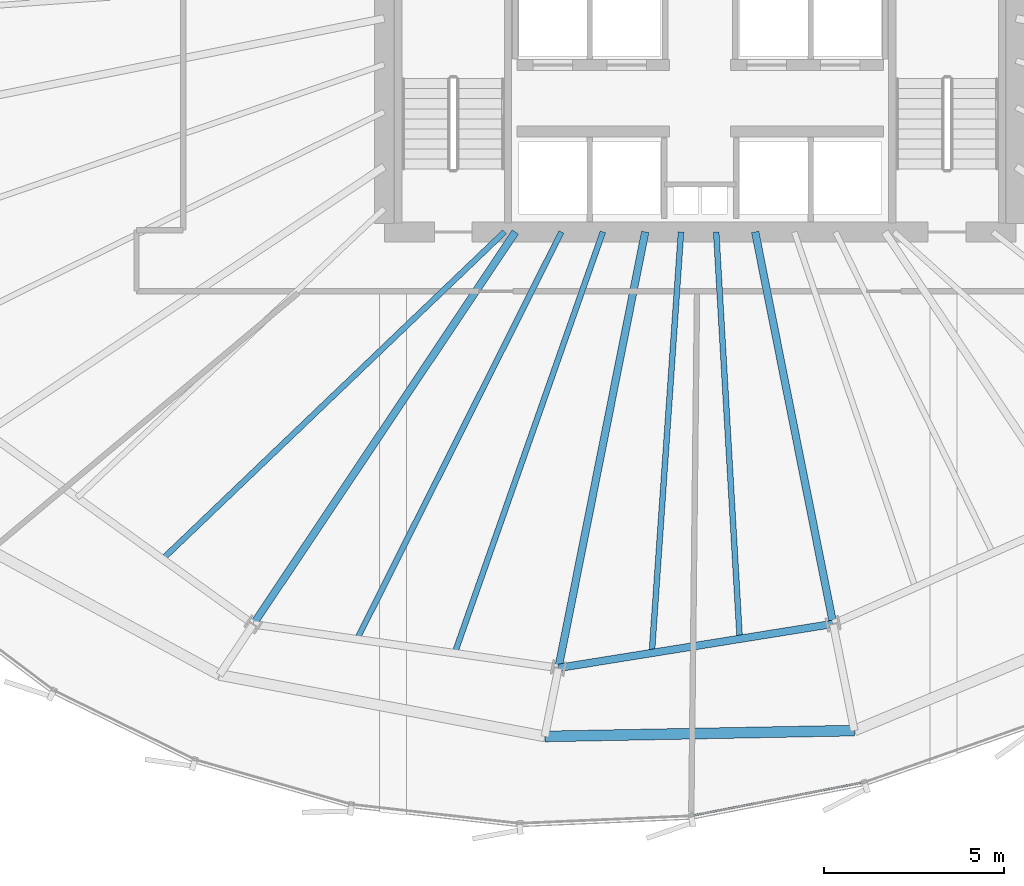
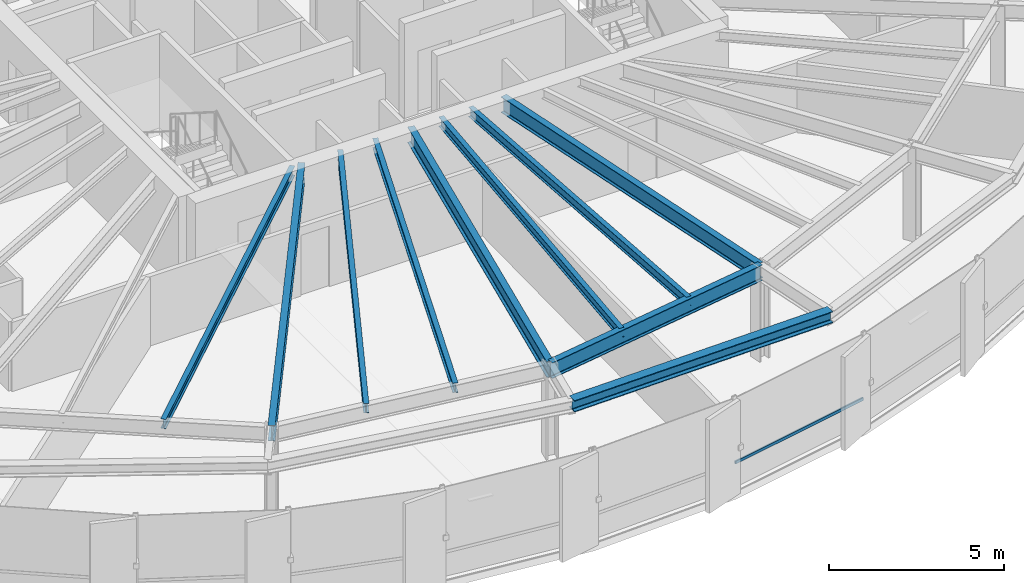
# One storey, part 6 of 34: 10 beams, 1 member, 1 element without a shape of its own.
"""IFC4 building model written with IfcOpenShell, lengths in metres."""

from ifc_helpers import new_model, si_unit, direction, frame, origin, origin_2d, place, context, subcontext, project, spatial, hollow_rectangle, i_section, extrude, source, transform, mapped, material, layer, layer_set, material_profile, profile_set, type_object, element, aggregate, save


model = new_model("IFC4")

# Units and contexts
model_context = context("Model", 3, precision=1e-05, world=origin(), true_north=direction((0.0, 1.0)))
body_context = subcontext(model_context, "Body", "Model", "MODEL_VIEW")
ifc_project = project(units=[si_unit("LENGTHUNIT", "METRE"), si_unit("AREAUNIT", "SQUARE_METRE"), si_unit("VOLUMEUNIT", "CUBIC_METRE"), si_unit("PLANEANGLEUNIT", "RADIAN"), si_unit("MASSUNIT", "GRAM", prefix="KILO"), si_unit("THERMODYNAMICTEMPERATUREUNIT", "KELVIN")], contexts=[model_context])

# Site, building, storey
site_placement = place(None, origin())
site = spatial("IfcSite", under=ifc_project, at=site_placement, CompositionType="ELEMENT")
building_placement = place(site_placement, origin())
building = spatial("IfcBuilding", under=site, at=building_placement, Name="Kethvar Cultural Tower", CompositionType="ELEMENT")
storey_placement = place(building_placement, frame((0.0, 0.0, 128.800048828125)))
storey = spatial("IfcBuildingStorey", under=building, at=storey_placement, Name="L32", CompositionType="ELEMENT", Elevation=128.800048828125)

# Beams
ifc_material_1 = material(Name="Steel S355J2", Category="steel")
ifc_material_profile_1 = material_profile(ifc_material_1, i_section(OverallWidth=0.2099609375, OverallDepth=0.550048828125, WebThickness=0.010986328125, FlangeThickness=0.01708984375, FilletRadius=0.02392578125, at=origin_2d()), Name="Steel S355J2 — IPE550")
ifc_profile_set_1 = profile_set([ifc_material_profile_1], Name="Steel S355J2 — IPE550")
beam_type_1 = type_object("IfcBeamType", Name="BM-IPE550", PredefinedType="BEAM", material=ifc_profile_set_1)
shared_shape_1 = source(origin(), body_context, "Body", "SweptSolid", [
    extrude(i_section(OverallWidth=0.2099609375, OverallDepth=0.550048828125, WebThickness=0.010986328125, FlangeThickness=0.01708984375, FilletRadius=0.02392578125, at=origin_2d()), origin(), (0.0, 0.0, 1.0), 13.147216796875),
])
beam_1_placement = place(storey_placement, frame((41.655029296875, 20.10009765625, 3.02294921875), z_axis=(-0.555565525446, -0.831472757783, 0.0), x_axis=(0.831472757783, -0.555565525446, 0.0)))
element("IfcBeam", 1, at=beam_1_placement, inside=storey, type_object=beam_type_1, Name="L32 Primary Radial Beam RB-11", PredefinedType="BEAM", context=body_context, shape_type="MappedRepresentation", body=[
    mapped(shared_shape_1, transform((0.0, 0.0, 0.0), scale=1.0)),
])
shared_shape_2 = source(origin(), body_context, "Body", "SweptSolid", [
    extrude(i_section(OverallWidth=0.2099609375, OverallDepth=0.550048828125, WebThickness=0.010986328125, FlangeThickness=0.01708984375, FilletRadius=0.02392578125, at=origin_2d()), origin(), (0.0, 0.0, 1.0), 12.384521484375),
])
beam_2_placement = place(storey_placement, frame((45.268310546875, 20.10009765625, 3.02294921875), z_axis=(-0.195084858678, -0.980786367113, 0.0), x_axis=(0.980786367113, -0.195084858678, 0.0)))
element("IfcBeam", 2, at=beam_2_placement, inside=storey, type_object=beam_type_1, Name="L32 Primary Radial Beam RB-12", PredefinedType="BEAM", context=body_context, shape_type="MappedRepresentation", body=[
    mapped(shared_shape_2, transform((0.0, 0.0, 0.0), scale=1.0)),
])
shared_shape_3 = source(origin(), body_context, "Body", "SweptSolid", [
    extrude(i_section(OverallWidth=0.2099609375, OverallDepth=0.550048828125, WebThickness=0.010986328125, FlangeThickness=0.01708984375, FilletRadius=0.02392578125, at=origin_2d()), origin(), (0.0, 0.0, 1.0), 11.131591796875),
])
beam_3_placement = place(storey_placement, frame((48.33154296875, 20.10009765625, 3.02294921875), z_axis=(0.195107998266, -0.980781764213, 0.0), x_axis=(0.980781764213, 0.195107998266, 0.0)))
element("IfcBeam", 3, at=beam_3_placement, inside=storey, type_object=beam_type_1, Name="L32 Primary Radial Beam RB-13", PredefinedType="BEAM", context=body_context, shape_type="MappedRepresentation", body=[
    mapped(shared_shape_3, transform((0.0, 0.0, 0.0), scale=1.0)),
])
ifc_material_profile_2 = material_profile(ifc_material_1, i_section(OverallWidth=0.159912109375, OverallDepth=0.330078125, WebThickness=0.007568359375, FlangeThickness=0.011474609375, FilletRadius=0.01806640625, at=origin_2d()), Name="Steel S355J2 — IPE330")
ifc_profile_set_2 = profile_set([ifc_material_profile_2], Name="Steel S355J2 — IPE330")
beam_type_2 = type_object("IfcBeamType", Name="BM-J330", PredefinedType="JOIST", material=ifc_profile_set_2)
shared_shape_4 = source(origin(), body_context, "Body", "SweptSolid", [
    extrude(i_section(OverallWidth=0.159912109375, OverallDepth=0.330078125, WebThickness=0.007568359375, FlangeThickness=0.011474609375, FilletRadius=0.01806640625, at=origin_2d()), origin(), (0.0, 0.0, 1.0), 13.1826171875),
])
beam_4_placement = place(storey_placement, frame((41.35009765625, 20.10009765625, 3.133056640625), z_axis=(-0.722573880181, -0.691293705801, 0.0), x_axis=(0.691293705801, -0.722573880181, 0.0)))
element("IfcBeam", 4, at=beam_4_placement, inside=storey, type_object=beam_type_2, Name="L32 Composite Floor Joist J-10B", PredefinedType="JOIST", context=body_context, shape_type="MappedRepresentation", body=[
    mapped(shared_shape_4, transform((0.0, 0.0, 0.0), scale=1.0)),
])
shared_shape_5 = source(origin(), body_context, "Body", "SweptSolid", [
    extrude(i_section(OverallWidth=0.159912109375, OverallDepth=0.330078125, WebThickness=0.007568359375, FlangeThickness=0.011474609375, FilletRadius=0.01806640625, at=origin_2d()), origin(), (0.0, 0.0, 1.0), 12.693603515625),
])
beam_5_placement = place(storey_placement, frame((42.935302734375, 20.10009765625, 3.133056640625), z_axis=(-0.448582495233, -0.893741430712, 0.0), x_axis=(0.893741430712, -0.448582495233, 0.0)))
element("IfcBeam", 5, at=beam_5_placement, inside=storey, type_object=beam_type_2, Name="L32 Composite Floor Joist J-11A", PredefinedType="JOIST", context=body_context, shape_type="MappedRepresentation", body=[
    mapped(shared_shape_5, transform((0.0, 0.0, 0.0), scale=1.0)),
])
shared_shape_6 = source(origin(), body_context, "Body", "SweptSolid", [
    extrude(i_section(OverallWidth=0.159912109375, OverallDepth=0.330078125, WebThickness=0.007568359375, FlangeThickness=0.011474609375, FilletRadius=0.01806640625, at=origin_2d()), origin(), (0.0, 0.0, 1.0), 12.4384765625),
])
beam_6_placement = place(storey_placement, frame((44.090576171875, 20.10009765625, 3.133056640625), z_axis=(-0.331923676994, -0.943306245421, 0.0), x_axis=(0.943306245421, -0.331923676994, 0.0)))
element("IfcBeam", 6, at=beam_6_placement, inside=storey, type_object=beam_type_2, Name="L32 Composite Floor Joist J-11B", PredefinedType="JOIST", context=body_context, shape_type="MappedRepresentation", body=[
    mapped(shared_shape_6, transform((0.0, 0.0, 0.0), scale=1.0)),
])
shared_shape_7 = source(origin(), body_context, "Body", "SweptSolid", [
    extrude(i_section(OverallWidth=0.2099609375, OverallDepth=0.550048828125, WebThickness=0.010986328125, FlangeThickness=0.01708984375, FilletRadius=0.02392578125, at=origin_2d()), origin(), (0.0, 0.0, 1.0), 7.749267578125),
])
beam_7_placement = place(storey_placement, frame((42.852294921875, 7.95361328125, 3.02294921875), z_axis=(0.987348257569, 0.158566762831, 0.0), x_axis=(-0.158566762831, 0.987348257569, 0.0)))
element("IfcBeam", 7, at=beam_7_placement, inside=storey, type_object=beam_type_1, Name="L32 Column Ring Tie Beam CR-12", PredefinedType="BEAM", context=body_context, shape_type="MappedRepresentation", body=[
    mapped(shared_shape_7, transform((0.0, 0.0, 0.0), scale=1.0)),
])
shared_shape_8 = source(origin(), body_context, "Body", "SweptSolid", [
    extrude(i_section(OverallWidth=0.159912109375, OverallDepth=0.330078125, WebThickness=0.007568359375, FlangeThickness=0.011474609375, FilletRadius=0.01806640625, at=origin_2d()), origin(), (0.0, 0.0, 1.0), 11.7568359375),
])
beam_8_placement = place(storey_placement, frame((46.266357421875, 20.10009765625, 3.133056640625), z_axis=(-0.069129203877, -0.997607715072, 0.0), x_axis=(0.997607715072, -0.069129203877, 0.0)))
element("IfcBeam", 8, at=beam_8_placement, inside=storey, type_object=beam_type_2, Name="L32 Composite Floor Joist J-12A", PredefinedType="JOIST", context=body_context, shape_type="MappedRepresentation", body=[
    mapped(shared_shape_8, transform((0.0, 0.0, 0.0), scale=1.0)),
])
shared_shape_9 = source(origin(), body_context, "Body", "SweptSolid", [
    extrude(i_section(OverallWidth=0.159912109375, OverallDepth=0.330078125, WebThickness=0.007568359375, FlangeThickness=0.011474609375, FilletRadius=0.01806640625, at=origin_2d()), origin(), (0.0, 0.0, 1.0), 11.354736328125),
])
beam_9_placement = place(storey_placement, frame((47.245849609375, 20.10009765625, 3.133056640625), z_axis=(0.057795585741, -0.998328438075, 0.0), x_axis=(0.998328438075, 0.057795585741, 0.0)))
element("IfcBeam", 9, at=beam_9_placement, inside=storey, type_object=beam_type_2, Name="L32 Composite Floor Joist J-12B", PredefinedType="JOIST", context=body_context, shape_type="MappedRepresentation", body=[
    mapped(shared_shape_9, transform((0.0, 0.0, 0.0), scale=1.0)),
])
ifc_material_profile_3 = material_profile(ifc_material_1, i_section(OverallWidth=0.300048828125, OverallDepth=0.39990234375, WebThickness=0.013427734375, FlangeThickness=0.02392578125, FilletRadius=0.027099609375, at=origin_2d()), Name="Steel S355J2 — HEB400")
ifc_profile_set_3 = profile_set([ifc_material_profile_3], Name="Steel S355J2 — HEB400")
beam_type_3 = type_object("IfcBeamType", Name="BM-SP400", PredefinedType="SPANDREL", material=ifc_profile_set_3)
shared_shape_10 = source(origin(), body_context, "Body", "SweptSolid", [
    extrude(i_section(OverallWidth=0.300048828125, OverallDepth=0.39990234375, WebThickness=0.013427734375, FlangeThickness=0.02392578125, FilletRadius=0.027099609375, at=origin_2d()), origin(), (0.0, 0.0, 1.0), 8.623046875),
])
beam_10_placement = place(storey_placement, frame((42.472900390625, 6.04638671875, 3.097900390625), z_axis=(0.999820067938, 0.018969231623, 0.0), x_axis=(-0.018969231623, 0.999820067938, 0.0)))
element("IfcBeam", 10, at=beam_10_placement, inside=storey, type_object=beam_type_3, Name="L32 Perimeter Spandrel Beam SP-12", PredefinedType="SPANDREL", context=body_context, shape_type="MappedRepresentation", body=[
    mapped(shared_shape_10, transform((0.0, 0.0, 0.0), scale=1.0)),
])

# Curtain wall, member
ifc_material_2 = material(Name="Aluminium 6063-T6", Category="aluminium")
ifc_layer = layer(ifc_material_2, 0.179931640625, Name="Aluminium 6063-T6", Category="aluminium")
ifc_layer_set = layer_set([ifc_layer], Name="Aluminium 6063-T6 (180 mm)")
curtain_wall_type = type_object("IfcCurtainWallType", Name="CW-SYS-04-Z34", PredefinedType="NOTDEFINED", material=ifc_layer_set)
curtain_wall_placement = place(storey_placement, origin())
curtain_wall = element("IfcCurtainWall", 11, at=curtain_wall_placement, inside=storey, type_object=curtain_wall_type, Name="L32 Curtain Wall Run 05", PredefinedType="NOTDEFINED")
ifc_material_profile_4 = material_profile(ifc_material_2, hollow_rectangle(XDim=0.050048828125, YDim=0.10009765625, WallThickness=0.00390625, at=origin_2d()), Name="Aluminium 6063-T6 — RHS100x50x4")
ifc_profile_set_4 = profile_set([ifc_material_profile_4], Name="Aluminium 6063-T6 — RHS100x50x4")
member_type = type_object("IfcMemberType", Name="CW-SYS-04-Z34-TRN", PredefinedType="USERDEFINED", material=ifc_profile_set_4)
shared_shape_11 = source(origin(), body_context, "Body", "SweptSolid", [
    extrude(hollow_rectangle(XDim=0.050048828125, YDim=0.10009765625, WallThickness=0.00390625, at=origin_2d()), origin(), (0.0, 0.0, 1.0), 4.83740234375),
])
member_placement = place(storey_placement, frame((46.59423828125, 3.843994140625, 0.949951171875), z_axis=(0.981594107303, 0.19097907872, 0.0), x_axis=(-0.19097907872, 0.981594107303, 0.0)))
member = element("IfcMember", 12, at=member_placement, type_object=member_type, Name="CW-L32-R05 Transom 2", ObjectType="TRANSOM", PredefinedType="USERDEFINED", context=body_context, shape_type="MappedRepresentation", body=[
    mapped(shared_shape_11, transform((0.0, 0.0, 0.0), scale=1.0)),
])
aggregate(curtain_wall, [member])

save(model, "model.ifc")
